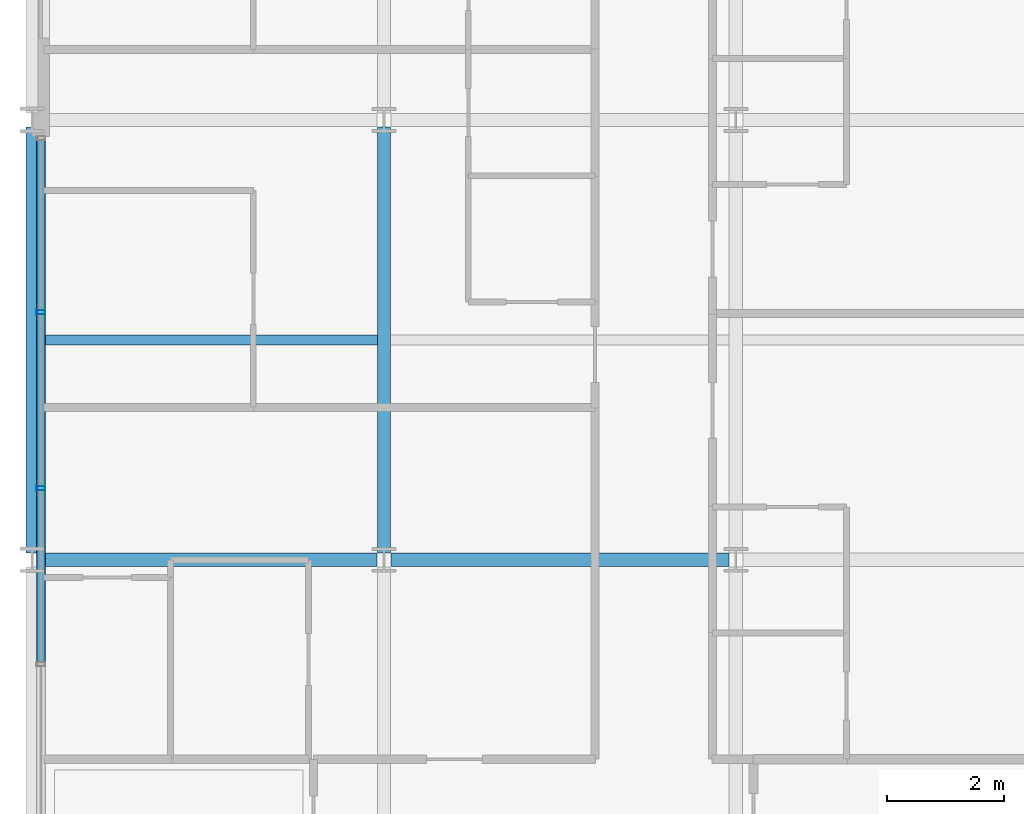
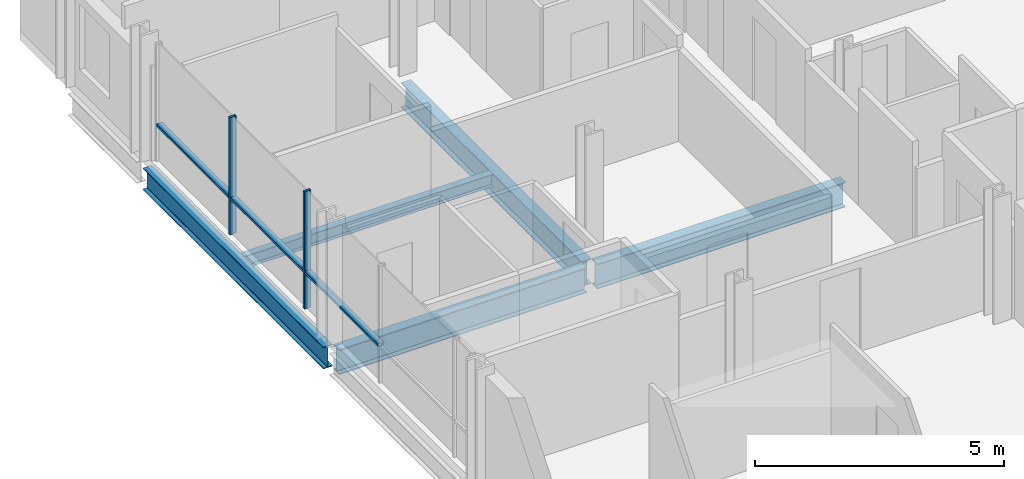
# One storey, part 5 of 41: 5 beams, 5 members, 1 element without a shape of its own.
"""IFC4 building model written with IfcOpenShell, lengths in metres."""

import ifcopenshell
import ifcopenshell.guid

model = None  # the IFC model being written
_history = None  # IfcOwnerHistory: only IFC2X3 demands one
_inside = {}  # id of a spatial element -> (the spatial element, [elements in it])
_under = {}  # id of a project, library or spatial element -> (it, [spatial elements below it])
_declared = {}  # id of a project -> (the project, [libraries it declares])
_typed = {}  # id of a type object -> (the type object, [elements of that type])
_made_of = {}  # id of a material, layer set ... -> (it, [elements and type objects made of it])


def new_model(schema):
    """Start an empty IFC model of exactly this schema.

    Asked for "IFC4X3", IfcOpenShell would pick the latest addendum, in which some entities
    have other attributes; the version numbers below select the first issue.
    IFC2X3 requires an IfcOwnerHistory on every rooted entity: one is made here for all.
    """
    global model, _history
    if schema == "IFC4X3":
        model = ifcopenshell.file(schema_version=(4, 3, 0, 0))
    else:
        model = ifcopenshell.file(schema=schema)
    _inside.clear()
    _under.clear()
    _declared.clear()
    _typed.clear()
    _made_of.clear()
    _history = None
    if model.schema == "IFC2X3":
        org = make("IfcOrganization", Name="unknown")
        user = make(
            "IfcPersonAndOrganization",
            ThePerson=make("IfcPerson", FamilyName="unknown"),
            TheOrganization=org,
        )
        app = make(
            "IfcApplication",
            ApplicationDeveloper=org,
            Version="unknown",
            ApplicationFullName="unknown",
            ApplicationIdentifier="unknown",
        )
        _history = make(
            "IfcOwnerHistory",
            OwningUser=user,
            OwningApplication=app,
            ChangeAction="ADDED",
            CreationDate=0,
        )
    return model


def make(cls, **values):
    """One entity of the class cls with the attributes given. An attribute that is None is left unset."""
    return model.create_entity(
        cls, **{name: value for name, value in values.items() if value is not None}
    )


def rooted(cls, **values):
    """An entity with a GlobalId (a new one), such as an element, a storey or a relation."""
    return make(cls, GlobalId=ifcopenshell.guid.new(), OwnerHistory=_history, **values)


def si_unit(unit_type, name, prefix=None):
    """IfcSIUnit, for example si_unit("LENGTHUNIT", "METRE", prefix="MILLI")."""
    return make("IfcSIUnit", UnitType=unit_type, Prefix=prefix, Name=name)


def assignment(units):
    """IfcUnitAssignment: the units of a project."""
    return None if units is None else make("IfcUnitAssignment", Units=units)


def point(xyz):
    """IfcCartesianPoint."""
    return None if xyz is None else make("IfcCartesianPoint", Coordinates=xyz)


def direction(xyz):
    """IfcDirection."""
    return None if xyz is None else make("IfcDirection", DirectionRatios=xyz)


def frame(location, z_axis=None, x_axis=None):
    """IfcAxis2Placement3D, a coordinate frame: its origin and axes. An axis left out is left unset."""
    return make(
        "IfcAxis2Placement3D",
        Location=point(location),
        Axis=direction(z_axis),
        RefDirection=direction(x_axis),
    )


def frame_2d(location, x_axis=None):
    """IfcAxis2Placement2D, a coordinate frame in the plane: its origin and x axis."""
    return make(
        "IfcAxis2Placement2D", Location=point(location), RefDirection=direction(x_axis)
    )


def origin():
    """The frame at (0, 0, 0) with its axes left unset."""
    return frame((0.0, 0.0, 0.0))


def origin_2d():
    """The frame at (0, 0) in the plane with its x axis left unset."""
    return frame_2d((0.0, 0.0))


def place(relative_to, where):
    """IfcLocalPlacement: puts the frame where relative to a parent placement (None: the world)."""
    return make(
        "IfcLocalPlacement", PlacementRelTo=relative_to, RelativePlacement=where
    )


def context(
    kind, dimensions, precision=None, world=None, true_north=None, identifier=None
):
    """IfcGeometricRepresentationContext, for example the 3D "Model" context."""
    return make(
        "IfcGeometricRepresentationContext",
        ContextIdentifier=identifier,
        ContextType=kind,
        CoordinateSpaceDimension=dimensions,
        Precision=precision,
        WorldCoordinateSystem=world,
        TrueNorth=true_north,
    )


def subcontext(parent, identifier, kind, view, scale=None):
    """IfcGeometricRepresentationSubContext, for example "Body" below "Model"."""
    return make(
        "IfcGeometricRepresentationSubContext",
        ContextIdentifier=identifier,
        ContextType=kind,
        ParentContext=parent,
        TargetScale=scale,
        TargetView=view,
    )


def project(units=None, contexts=None):
    """IfcProject with its units and contexts."""
    return rooted(
        "IfcProject",
        Name="project",
        RepresentationContexts=contexts,
        UnitsInContext=assignment(units),
    )


def spatial(cls, under=None, at=None, **own):
    """A site, building, storey or space (cls), placed at a placement, below another one or the project."""
    s = rooted(cls, ObjectPlacement=at, **own)
    if under is not None:
        _under.setdefault(under.id(), (under, []))[1].append(s)
    return s


def profile(cls, at=None, kind="AREA", **sizes):
    """A parametric profile (cls). Its sizes go by their IFC names, for example OverallWidth=200.0."""
    return make(cls, ProfileType=kind, Position=at, **sizes)


def hollow_rectangle(**sizes):
    """IfcRectangleHollowProfileDef."""
    return profile("IfcRectangleHollowProfileDef", **sizes)


def i_section(**sizes):
    """IfcIShapeProfileDef."""
    return profile("IfcIShapeProfileDef", **sizes)


def extrude(swept, where, along, depth):
    """IfcExtrudedAreaSolid: the profile swept, set in the frame where, extruded along a direction by depth."""
    return make(
        "IfcExtrudedAreaSolid",
        SweptArea=swept,
        Position=where,
        ExtrudedDirection=direction(along),
        Depth=depth,
    )


def shape(context_of_items, identifier, shape_type, items):
    """IfcShapeRepresentation: the items that make up one representation, for example the "Body"."""
    return make(
        "IfcShapeRepresentation",
        ContextOfItems=context_of_items,
        RepresentationIdentifier=identifier,
        RepresentationType=shape_type,
        Items=items,
    )


def material(Name=None, Category=None):
    """IfcMaterial."""
    return make("IfcMaterial", Name=Name, Category=Category)


def layer(
    of_material, thickness, ventilated=None, Name=None, Category=None, Priority=None
):
    """IfcMaterialLayer: one layer of a wall or slab, of a material (None: an air gap)."""
    return make(
        "IfcMaterialLayer",
        Material=of_material,
        LayerThickness=thickness,
        IsVentilated=ventilated,
        Name=Name,
        Category=Category,
        Priority=Priority,
    )


def layer_set(layers, Name=None):
    """IfcMaterialLayerSet."""
    return make("IfcMaterialLayerSet", MaterialLayers=layers, LayerSetName=Name)


def material_profile(
    of_material, cross_section, Name=None, Category=None, Priority=None
):
    """IfcMaterialProfile: a cross section and its material."""
    return make(
        "IfcMaterialProfile",
        Name=Name,
        Material=of_material,
        Profile=cross_section,
        Priority=Priority,
        Category=Category,
    )


def profile_set(profiles, Name=None, composite=None):
    """IfcMaterialProfileSet."""
    return make(
        "IfcMaterialProfileSet",
        Name=Name,
        MaterialProfiles=profiles,
        CompositeProfile=composite,
    )


def made_of(thing, what):
    """Note that an element or type object is made of a material, layer set ...; save() writes the relation."""
    if what is not None:
        _made_of.setdefault(what.id(), (what, []))[1].append(thing)
    return thing


def type_object(cls, material=None, **own):
    """A type object (cls), such as IfcWallType, which elements share."""
    return made_of(rooted(cls, **own), material)


def element(
    cls,
    number,
    at=None,
    inside=None,
    cuts=None,
    type_object=None,
    material=None,
    context=None,
    identifier="Body",
    shape_type=None,
    held_by="IfcProductDefinitionShape",
    body=None,
    shapes=None,
    **own,
):
    """One element of the class cls, such as IfcWall. Its Tag is "e" and its number.

    at: its placement. inside: the storey or other place that contains it. cuts: it is an
    opening in that element (IfcRelVoidsElement). A single representation is given by context,
    identifier, shape_type and body (its items); several are given by shapes. held_by: the class
    of the entity that holds the representations. save() writes the other relations.
    """
    e = rooted(cls, Tag="e%d" % number, ObjectPlacement=at, **own)
    if body is not None:
        shapes = [shape(context, identifier, shape_type, body)]
    if shapes is not None:
        e.Representation = make(held_by, Representations=shapes)
    if inside is not None:
        _inside.setdefault(inside.id(), (inside, []))[1].append(e)
    if cuts is not None:
        rooted(
            "IfcRelVoidsElement", RelatingBuildingElement=cuts, RelatedOpeningElement=e
        )
    if type_object is not None:
        _typed.setdefault(type_object.id(), (type_object, []))[1].append(e)
    return made_of(e, material)


def aggregate(whole, parts):
    """IfcRelAggregates: a whole, such as a stair, and the parts it consists of."""
    return rooted("IfcRelAggregates", RelatingObject=whole, RelatedObjects=parts)


def save(model, path):
    """Write the relations noted so far, then the file.

    IfcRelAggregates (storeys below a building ...), IfcRelContainedInSpatialStructure (elements
    in a storey), IfcRelDefinesByType, IfcRelAssociatesMaterial and IfcRelDeclares: one each for
    every whole, place, type object, material and project.
    """
    for whole, parts in _under.values():
        aggregate(whole, parts)
    for where, things in _inside.values():
        rooted(
            "IfcRelContainedInSpatialStructure",
            RelatedElements=things,
            RelatingStructure=where,
        )
    for kind, things in _typed.values():
        rooted("IfcRelDefinesByType", RelatedObjects=things, RelatingType=kind)
    for what, things in _made_of.values():
        rooted("IfcRelAssociatesMaterial", RelatedObjects=things, RelatingMaterial=what)
    for by, libraries in _declared.values():
        rooted("IfcRelDeclares", RelatingContext=by, RelatedDefinitions=libraries)
    model.write(path)


model = new_model("IFC4")

# Units and contexts
model_context = context("Model", 3, precision=1e-05, world=origin(), true_north=direction((0.0, 1.0)))
body_context = subcontext(model_context, "Body", "Model", "MODEL_VIEW")
ifc_project = project(units=[si_unit("LENGTHUNIT", "METRE"), si_unit("AREAUNIT", "SQUARE_METRE"), si_unit("VOLUMEUNIT", "CUBIC_METRE"), si_unit("PLANEANGLEUNIT", "RADIAN"), si_unit("MASSUNIT", "GRAM", prefix="KILO")], contexts=[model_context])

# Site, building, storey
site_placement = place(None, origin())
site = spatial("IfcSite", under=ifc_project, at=site_placement, CompositionType="ELEMENT")
building_placement = place(site_placement, origin())
building = spatial("IfcBuilding", under=site, at=building_placement, Name="Brevholm Reach", CompositionType="ELEMENT")
storey_placement = place(building_placement, frame((0.0, 0.0, 106.60009765625)))
storey = spatial("IfcBuildingStorey", under=building, at=storey_placement, Name="L31", CompositionType="ELEMENT", Elevation=106.60009765625)

# Beams
ifc_material_1 = material(Name="Structural Steel S355J2", Category="steel")
ifc_material_profile_1 = material_profile(ifc_material_1, i_section(OverallWidth=0.1650390625, OverallDepth=0.303466796875, WebThickness=0.006103515625, FlangeThickness=0.01025390625, FilletRadius=0.0087890625, at=origin_2d()), Name="UKB 305x165x40")
ifc_profile_set_1 = profile_set([ifc_material_profile_1], Name="Structural Steel S355J2")
beam_type_1 = type_object("IfcBeamType", Name="BM-B305", PredefinedType="BEAM", material=ifc_profile_set_1)
beam_1_placement = place(storey_placement, frame((0.104736328125, 19.75, -0.371826171875), z_axis=(1.0, 0.0, 0.0), x_axis=(0.0, 1.0, 0.0)))
element("IfcBeam", 1, at=beam_1_placement, inside=storey, type_object=beam_type_1, Name="L31 Composite Secondary Floor Beam", PredefinedType="BEAM", context=body_context, shape_type="SweptSolid", body=[
    extrude(i_section(OverallWidth=0.1650390625, OverallDepth=0.303466796875, WebThickness=0.006103515625, FlangeThickness=0.01025390625, FilletRadius=0.0087890625, at=origin_2d()), origin(), (0.0, 0.0, 1.0), 5.78076171875),
])
ifc_material_2 = material(Name="Structural Steel S355J2", Category="steel")
ifc_material_profile_2 = material_profile(ifc_material_2, i_section(OverallWidth=0.209228515625, OverallDepth=0.533203125, WebThickness=0.010009765625, FlangeThickness=0.015625, FilletRadius=0.0126953125, at=origin_2d()), Name="UKB 533x210x92")
ifc_profile_set_2 = profile_set([ifc_material_profile_2], Name="Structural Steel S355J2")
beam_type_2 = type_object("IfcBeamType", Name="BM-SP533", PredefinedType="SPANDREL", material=ifc_profile_set_2)
beam_2_placement = place(storey_placement, frame((0.0, 16.1201171875, -0.486572265625), z_axis=(0.0, 1.0, 0.0), x_axis=(-1.0, 0.0, 0.0)))
element("IfcBeam", 2, at=beam_2_placement, inside=storey, type_object=beam_type_2, Name="L31 SP-02 Framing Beam", PredefinedType="SPANDREL", context=body_context, shape_type="SweptSolid", body=[
    extrude(i_section(OverallWidth=0.209228515625, OverallDepth=0.533203125, WebThickness=0.010009765625, FlangeThickness=0.015625, FilletRadius=0.0126953125, at=origin_2d()), origin(), (0.0, 0.0, 1.0), 7.259765625),
])
ifc_material_3 = material(Name="Structural Steel S355J2", Category="steel")
ifc_material_profile_3 = material_profile(ifc_material_3, i_section(OverallWidth=0.22900390625, OverallDepth=0.6123046875, WebThickness=0.011962890625, FlangeThickness=0.01953125, FilletRadius=0.0126953125, at=origin_2d()), Name="UKB 610x229x125")
ifc_profile_set_3 = profile_set([ifc_material_profile_3], Name="Structural Steel S355J2")
beam_type_3 = type_object("IfcBeamType", Name="BM-SP610", PredefinedType="SPANDREL", material=ifc_profile_set_3)
for number, where, z_axis, x_axis, name in (
    (3, (0.1201171875, 16.0, -0.526123046875), (1.0, 0.0, 0.0), (0.0, 1.0, 0.0), "L31 SP-01 Framing Beam"),
    (4, (6.1201171875, 16.0, -0.526123046875), (1.0, 0.0, 0.0), (0.0, 1.0, 0.0), "L31 SP-01 Framing Beam"),
):
    element("IfcBeam", number, at=place(storey_placement, frame(where, z_axis=z_axis, x_axis=x_axis)), inside=storey, type_object=beam_type_3, Name=name, PredefinedType="SPANDREL", context=body_context, shape_type="SweptSolid", body=[
        extrude(i_section(OverallWidth=0.22900390625, OverallDepth=0.6123046875, WebThickness=0.011962890625, FlangeThickness=0.01953125, FilletRadius=0.0126953125, at=origin_2d()), origin(), (0.0, 0.0, 1.0), 5.759765625),
    ])
beam_3_placement = place(storey_placement, frame((6.0, 16.1201171875, -0.526123046875), z_axis=(0.0, 1.0, 0.0), x_axis=(-1.0, 0.0, 0.0)))
element("IfcBeam", 5, at=beam_3_placement, inside=storey, type_object=beam_type_3, Name="L31 SP-01 Framing Beam", PredefinedType="SPANDREL", context=body_context, shape_type="SweptSolid", body=[
    extrude(i_section(OverallWidth=0.22900390625, OverallDepth=0.6123046875, WebThickness=0.011962890625, FlangeThickness=0.01953125, FilletRadius=0.0126953125, at=origin_2d()), origin(), (0.0, 0.0, 1.0), 7.259765625),
])

# Curtain wall, members
ifc_material_4 = material(Name="Dark Anodised Aluminium 6063-T6 and Solar-Control Glass", Category="aluminium")
ifc_layer = layer(ifc_material_4, 0.14990234375)
ifc_layer_set = layer_set([ifc_layer], Name="Dark Anodised Aluminium 6063-T6 and Solar-Control Glass")
curtain_wall_type = type_object("IfcCurtainWallType", Name="CW-01", PredefinedType="NOTDEFINED", material=ifc_layer_set)
curtain_wall_placement = place(storey_placement, origin())
curtain_wall = element("IfcCurtainWall", 6, at=curtain_wall_placement, inside=storey, type_object=curtain_wall_type, Name="L31 Curtain Wall CW-01", PredefinedType="NOTDEFINED")
ifc_material_5 = material(Name="Dark Anodised Aluminium 6063-T6", Category="aluminium")
ifc_material_profile_4 = material_profile(ifc_material_5, hollow_rectangle(XDim=0.06494140625, YDim=0.14990234375, WallThickness=0.0048828125, InnerFilletRadius=0.0048828125, OuterFilletRadius=0.010009765625, at=origin_2d()), Name="RHS 150x65x5")
ifc_profile_set_4 = profile_set([ifc_material_profile_4], Name="Dark Anodised Aluminium 6063-T6")
member_type_1 = type_object("IfcMemberType", Name="CWM-150", PredefinedType="MULLION", material=ifc_profile_set_4)
member_1_placement = place(storey_placement, frame((0.14990234375, 20.219970703125, 0.0), z_axis=(0.0, 0.0, 1.0), x_axis=(0.0, -1.0, 0.0)))
member_1 = element("IfcMember", 7, at=member_1_placement, type_object=member_type_1, Name="CM-150 Mullion 2", PredefinedType="MULLION", context=body_context, shape_type="SweptSolid", body=[
    extrude(hollow_rectangle(XDim=0.06494140625, YDim=0.14990234375, WallThickness=0.0048828125, InnerFilletRadius=0.0048828125, OuterFilletRadius=0.010009765625, at=origin_2d()), origin(), (0.0, 0.0, 1.0), 2.8798828125),
])
member_2_placement = place(storey_placement, frame((0.14990234375, 17.219970703125, 0.0), z_axis=(0.0, 0.0, 1.0), x_axis=(0.0, -1.0, 0.0)))
member_2 = element("IfcMember", 8, at=member_2_placement, type_object=member_type_1, Name="CM-150 Mullion 3", PredefinedType="MULLION", context=body_context, shape_type="SweptSolid", body=[
    extrude(hollow_rectangle(XDim=0.06494140625, YDim=0.14990234375, WallThickness=0.0048828125, InnerFilletRadius=0.0048828125, OuterFilletRadius=0.010009765625, at=origin_2d()), origin(), (0.0, 0.0, 1.0), 2.8798828125),
])
ifc_material_6 = material(Name="Dark Anodised Aluminium 6063-T6", Category="aluminium")
ifc_material_profile_5 = material_profile(ifc_material_6, hollow_rectangle(XDim=0.06494140625, YDim=0.14990234375, WallThickness=0.0048828125, InnerFilletRadius=0.0048828125, OuterFilletRadius=0.010009765625, at=origin_2d()), Name="RHS 150x65x5")
ifc_profile_set_5 = profile_set([ifc_material_profile_5], Name="Dark Anodised Aluminium 6063-T6")
member_type_2 = type_object("IfcMemberType", Name="CWT-150", PredefinedType="NOTDEFINED", material=ifc_profile_set_5)
member_3_placement = place(storey_placement, frame((0.14990234375, 23.155029296875, 0.89990234375), z_axis=(0.0, -1.0, 0.0), x_axis=(0.0, 0.0, 1.0)))
member_3 = element("IfcMember", 9, at=member_3_placement, type_object=member_type_2, Name="CT-150 Transom 1.1", ObjectType="TRANSOM", PredefinedType="USERDEFINED", context=body_context, shape_type="SweptSolid", body=[
    extrude(hollow_rectangle(XDim=0.06494140625, YDim=0.14990234375, WallThickness=0.0048828125, InnerFilletRadius=0.0048828125, OuterFilletRadius=0.010009765625, at=origin_2d()), origin(), (0.0, 0.0, 1.0), 2.902587890625),
])
member_4_placement = place(storey_placement, frame((0.14990234375, 20.1875, 0.89990234375), z_axis=(0.0, -1.0, 0.0), x_axis=(0.0, 0.0, 1.0)))
member_4 = element("IfcMember", 10, at=member_4_placement, type_object=member_type_2, Name="CT-150 Transom 2.1", ObjectType="TRANSOM", PredefinedType="USERDEFINED", context=body_context, shape_type="SweptSolid", body=[
    extrude(hollow_rectangle(XDim=0.06494140625, YDim=0.14990234375, WallThickness=0.0048828125, InnerFilletRadius=0.0048828125, OuterFilletRadius=0.010009765625, at=origin_2d()), origin(), (0.0, 0.0, 1.0), 2.93505859375),
])
member_5_placement = place(storey_placement, frame((0.14990234375, 17.1875, 0.89990234375), z_axis=(0.0, -1.0, 0.0), x_axis=(0.0, 0.0, 1.0)))
member_5 = element("IfcMember", 11, at=member_5_placement, type_object=member_type_2, Name="CT-150 Transom 3.1", ObjectType="TRANSOM", PredefinedType="USERDEFINED", context=body_context, shape_type="SweptSolid", body=[
    extrude(hollow_rectangle(XDim=0.06494140625, YDim=0.14990234375, WallThickness=0.0048828125, InnerFilletRadius=0.0048828125, OuterFilletRadius=0.010009765625, at=origin_2d()), origin(), (0.0, 0.0, 1.0), 2.93505859375),
])
aggregate(curtain_wall, [member_1, member_2, member_3, member_4, member_5])

save(model, "model.ifc")
